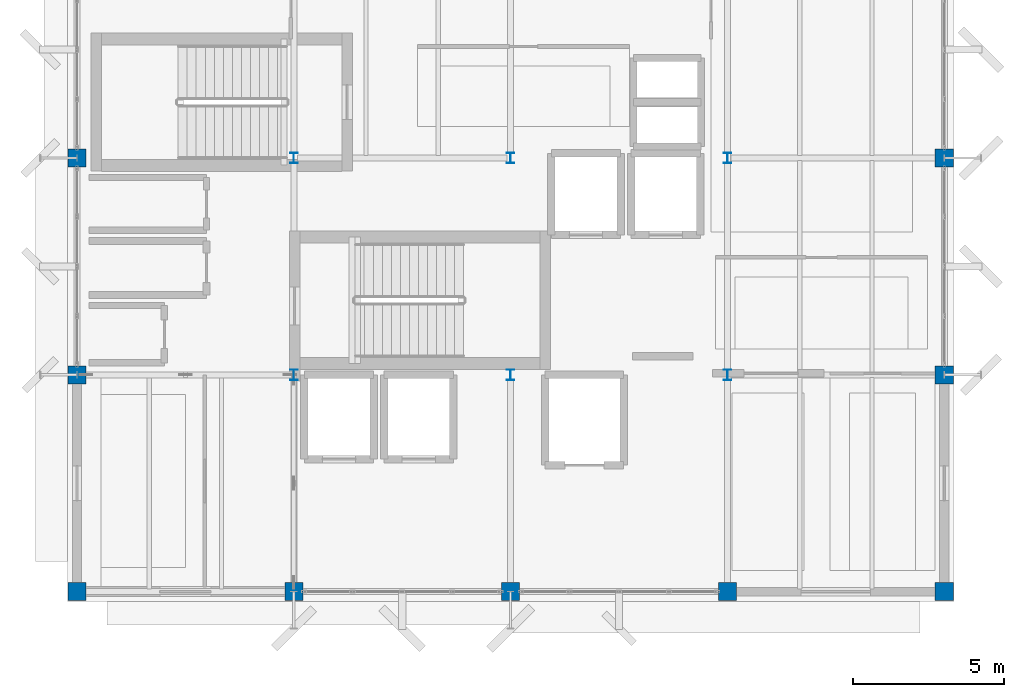
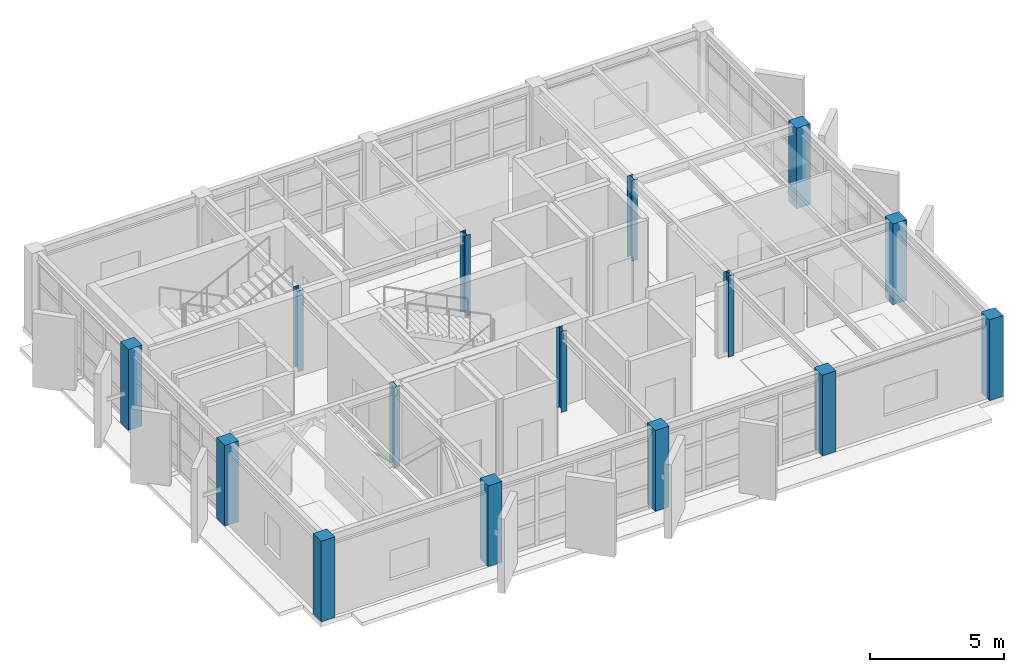
# One storey, part 1 of 15: 15 columns.
"""IFC4 building model written with IfcOpenShell, lengths in metres."""

from ifc_helpers import new_model, si_unit, direction, frame, origin, origin_2d, place, context, subcontext, project, spatial, rectangle, i_section, extrude, material, material_profile, profile_set, type_object, element, save


model = new_model("IFC4")

# Units and contexts
model_context = context("Model", 3, precision=1e-05, world=origin(), true_north=direction((0.0, 1.0)))
body_context = subcontext(model_context, "Body", "Model", "MODEL_VIEW")
ifc_project = project(units=[si_unit("LENGTHUNIT", "METRE"), si_unit("AREAUNIT", "SQUARE_METRE"), si_unit("VOLUMEUNIT", "CUBIC_METRE"), si_unit("PLANEANGLEUNIT", "RADIAN"), si_unit("MASSUNIT", "GRAM", prefix="KILO")], contexts=[model_context])

# Site, building, storey
site_placement = place(None, origin())
site = spatial("IfcSite", under=ifc_project, at=site_placement, CompositionType="ELEMENT")
building_placement = place(site_placement, origin())
building = spatial("IfcBuilding", under=site, at=building_placement, Name="Kandorven Conservatory and Botanical Research Centre", CompositionType="ELEMENT")
storey_placement = place(building_placement, frame((0.0, 0.0, 48.300048828125)))
storey = spatial("IfcBuildingStorey", under=building, at=storey_placement, Name="L12", CompositionType="ELEMENT", Elevation=48.300048828125)

# Columns
ifc_material_1 = material(Name="Steel S355 (IS 2062 E350)", Category="steel")
ifc_material_profile_1 = material_profile(ifc_material_1, i_section(OverallWidth=0.25, OverallDepth=0.35009765625, WebThickness=0.010009765625, FlangeThickness=0.01171875, at=origin_2d()))
ifc_profile_set_1 = profile_set([ifc_material_profile_1], Name="Steel S355 (IS 2062 E350)")
column_type_1 = type_object("IfcColumnType", Name="Col_SC-03", PredefinedType="COLUMN", material=ifc_profile_set_1)
for number, where, z_axis, x_axis, name in (
    (1, (13.199951171875, 13.199951171875, 0.0), (0.0, 0.0, 1.0), (1.0, 0.0, 0.0), "Column SC-03 TWR L12 (2,2)"),
    (2, (13.199951171875, 20.39990234375, 0.0), (0.0, 0.0, 1.0), (1.0, 0.0, 0.0), "Column SC-03 TWR L12 (2,3)"),
    (3, (20.39990234375, 13.199951171875, 0.0), (0.0, 0.0, 1.0), (1.0, 0.0, 0.0), "Column SC-03 TWR L12 (3,2)"),
    (4, (20.39990234375, 20.39990234375, 0.0), (0.0, 0.0, 1.0), (1.0, 0.0, 0.0), "Column SC-03 TWR L12 (3,3)"),
    (5, (27.60009765625, 13.199951171875, 0.0), (0.0, 0.0, 1.0), (1.0, 0.0, 0.0), "Column SC-03 TWR L12 (4,2)"),
    (6, (27.60009765625, 20.39990234375, 0.0), (0.0, 0.0, 1.0), (1.0, 0.0, 0.0), "Column SC-03 TWR L12 (4,3)"),
):
    element("IfcColumn", number, at=place(storey_placement, frame(where, z_axis=z_axis, x_axis=x_axis)), inside=storey, type_object=column_type_1, Name=name, PredefinedType="COLUMN", context=body_context, shape_type="SweptSolid", body=[
        extrude(i_section(OverallWidth=0.25, OverallDepth=0.35009765625, WebThickness=0.010009765625, FlangeThickness=0.01171875, at=origin_2d()), origin(), (0.0, 0.0, 1.0), 3.679931640625),
    ])
ifc_material_2 = material(Name="Concrete C40/50 (M50)", Category="concrete")
ifc_material_profile_2 = material_profile(ifc_material_2, rectangle(XDim=0.60009765625, YDim=0.60009765625, at=origin_2d()))
ifc_profile_set_2 = profile_set([ifc_material_profile_2], Name="Concrete C40/50 (M50)")
column_type_2 = type_object("IfcColumnType", Name="Col_TC-04", PredefinedType="COLUMN", material=ifc_profile_set_2)
for number, where, z_axis, x_axis, name in (
    (7, (6.0, 6.0, 0.0), (0.0, 0.0, 1.0), (1.0, 0.0, 0.0), "Column TC-04 TWR L12 (1,1)"),
    (8, (6.0, 13.199951171875, 0.0), (0.0, 0.0, 1.0), (1.0, 0.0, 0.0), "Column TC-04 TWR L12 (1,2)"),
    (9, (6.0, 20.39990234375, 0.0), (0.0, 0.0, 1.0), (1.0, 0.0, 0.0), "Column TC-04 TWR L12 (1,3)"),
    (10, (13.199951171875, 6.0, 0.0), (0.0, 0.0, 1.0), (1.0, 0.0, 0.0), "Column TC-04 TWR L12 (2,1)"),
    (11, (20.39990234375, 6.0, 0.0), (0.0, 0.0, 1.0), (1.0, 0.0, 0.0), "Column TC-04 TWR L12 (3,1)"),
    (12, (27.60009765625, 6.0, 0.0), (0.0, 0.0, 1.0), (1.0, 0.0, 0.0), "Column TC-04 TWR L12 (4,1)"),
    (13, (34.800048828125, 6.0, 0.0), (0.0, 0.0, 1.0), (1.0, 0.0, 0.0), "Column TC-04 TWR L12 (5,1)"),
    (14, (34.800048828125, 13.199951171875, 0.0), (0.0, 0.0, 1.0), (1.0, 0.0, 0.0), "Column TC-04 TWR L12 (5,2)"),
    (15, (34.800048828125, 20.39990234375, 0.0), (0.0, 0.0, 1.0), (1.0, 0.0, 0.0), "Column TC-04 TWR L12 (5,3)"),
):
    element("IfcColumn", number, at=place(storey_placement, frame(where, z_axis=z_axis, x_axis=x_axis)), inside=storey, type_object=column_type_2, Name=name, PredefinedType="COLUMN", context=body_context, shape_type="SweptSolid", body=[
        extrude(rectangle(XDim=0.60009765625, YDim=0.60009765625, at=origin_2d()), origin(), (0.0, 0.0, 1.0), 3.679931640625),
    ])

save(model, "model.ifc")
